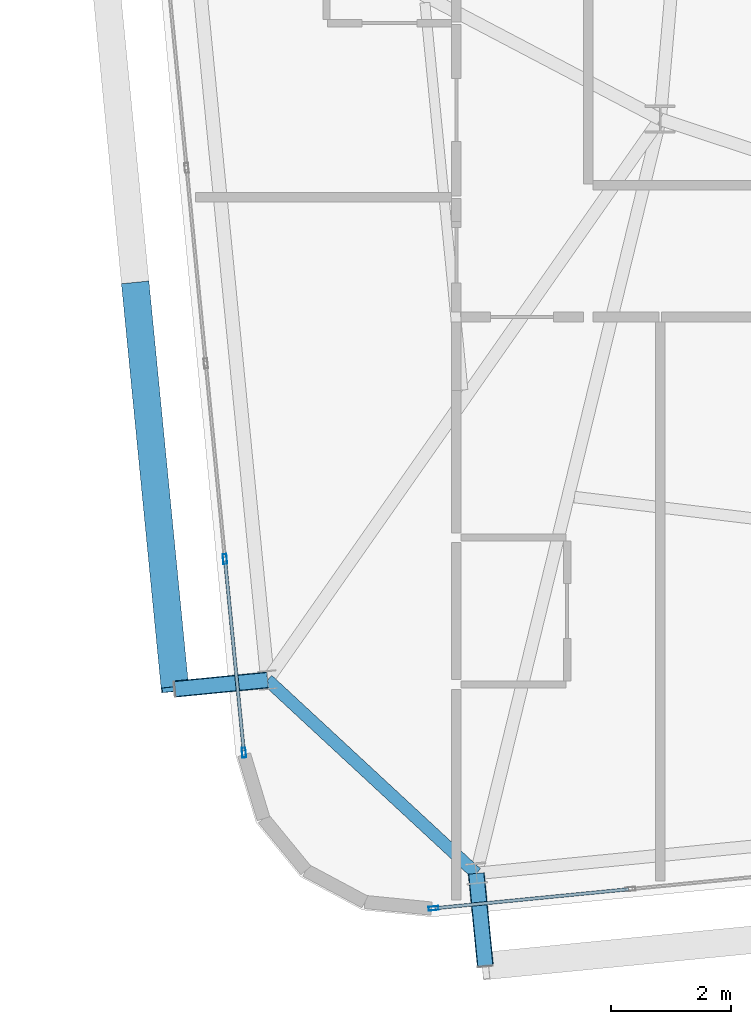
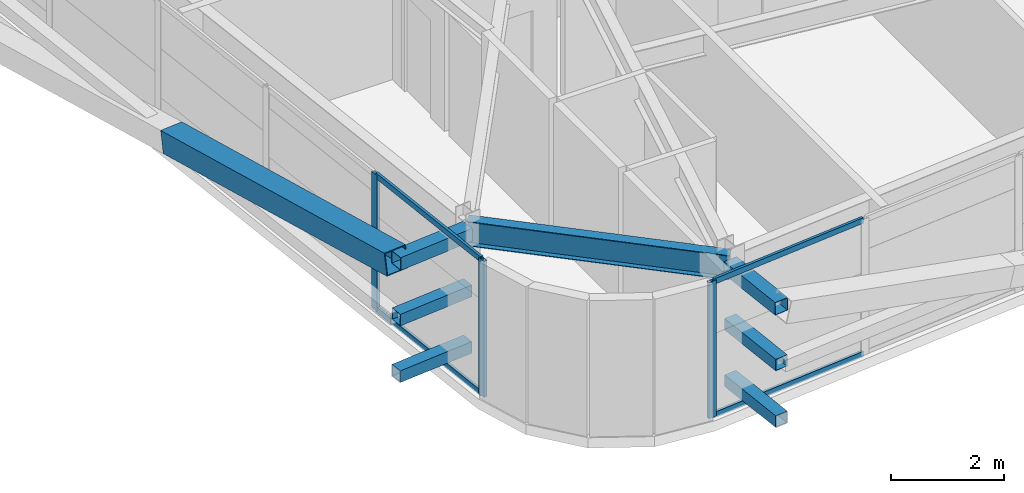
# One storey, part 5 of 53: 14 members, 1 beam, 2 elements without a shape of their own.
"""IFC4 building model written with IfcOpenShell, lengths in metres."""

import ifcopenshell
import ifcopenshell.guid

model = None  # the IFC model being written
_history = None  # IfcOwnerHistory: only IFC2X3 demands one
_inside = {}  # id of a spatial element -> (the spatial element, [elements in it])
_under = {}  # id of a project, library or spatial element -> (it, [spatial elements below it])
_declared = {}  # id of a project -> (the project, [libraries it declares])
_typed = {}  # id of a type object -> (the type object, [elements of that type])
_made_of = {}  # id of a material, layer set ... -> (it, [elements and type objects made of it])


def new_model(schema):
    """Start an empty IFC model of exactly this schema.

    Asked for "IFC4X3", IfcOpenShell would pick the latest addendum, in which some entities
    have other attributes; the version numbers below select the first issue.
    IFC2X3 requires an IfcOwnerHistory on every rooted entity: one is made here for all.
    """
    global model, _history
    if schema == "IFC4X3":
        model = ifcopenshell.file(schema_version=(4, 3, 0, 0))
    else:
        model = ifcopenshell.file(schema=schema)
    _inside.clear()
    _under.clear()
    _declared.clear()
    _typed.clear()
    _made_of.clear()
    _history = None
    if model.schema == "IFC2X3":
        org = make("IfcOrganization", Name="unknown")
        user = make(
            "IfcPersonAndOrganization",
            ThePerson=make("IfcPerson", FamilyName="unknown"),
            TheOrganization=org,
        )
        app = make(
            "IfcApplication",
            ApplicationDeveloper=org,
            Version="unknown",
            ApplicationFullName="unknown",
            ApplicationIdentifier="unknown",
        )
        _history = make(
            "IfcOwnerHistory",
            OwningUser=user,
            OwningApplication=app,
            ChangeAction="ADDED",
            CreationDate=0,
        )
    return model


def make(cls, **values):
    """One entity of the class cls with the attributes given. An attribute that is None is left unset."""
    return model.create_entity(
        cls, **{name: value for name, value in values.items() if value is not None}
    )


def rooted(cls, **values):
    """An entity with a GlobalId (a new one), such as an element, a storey or a relation."""
    return make(cls, GlobalId=ifcopenshell.guid.new(), OwnerHistory=_history, **values)


def si_unit(unit_type, name, prefix=None):
    """IfcSIUnit, for example si_unit("LENGTHUNIT", "METRE", prefix="MILLI")."""
    return make("IfcSIUnit", UnitType=unit_type, Prefix=prefix, Name=name)


def assignment(units):
    """IfcUnitAssignment: the units of a project."""
    return None if units is None else make("IfcUnitAssignment", Units=units)


def point(xyz):
    """IfcCartesianPoint."""
    return None if xyz is None else make("IfcCartesianPoint", Coordinates=xyz)


def direction(xyz):
    """IfcDirection."""
    return None if xyz is None else make("IfcDirection", DirectionRatios=xyz)


def frame(location, z_axis=None, x_axis=None):
    """IfcAxis2Placement3D, a coordinate frame: its origin and axes. An axis left out is left unset."""
    return make(
        "IfcAxis2Placement3D",
        Location=point(location),
        Axis=direction(z_axis),
        RefDirection=direction(x_axis),
    )


def frame_2d(location, x_axis=None):
    """IfcAxis2Placement2D, a coordinate frame in the plane: its origin and x axis."""
    return make(
        "IfcAxis2Placement2D", Location=point(location), RefDirection=direction(x_axis)
    )


def origin():
    """The frame at (0, 0, 0) with its axes left unset."""
    return frame((0.0, 0.0, 0.0))


def origin_2d():
    """The frame at (0, 0) in the plane with its x axis left unset."""
    return frame_2d((0.0, 0.0))


def place(relative_to, where):
    """IfcLocalPlacement: puts the frame where relative to a parent placement (None: the world)."""
    return make(
        "IfcLocalPlacement", PlacementRelTo=relative_to, RelativePlacement=where
    )


def context(
    kind, dimensions, precision=None, world=None, true_north=None, identifier=None
):
    """IfcGeometricRepresentationContext, for example the 3D "Model" context."""
    return make(
        "IfcGeometricRepresentationContext",
        ContextIdentifier=identifier,
        ContextType=kind,
        CoordinateSpaceDimension=dimensions,
        Precision=precision,
        WorldCoordinateSystem=world,
        TrueNorth=true_north,
    )


def subcontext(parent, identifier, kind, view, scale=None):
    """IfcGeometricRepresentationSubContext, for example "Body" below "Model"."""
    return make(
        "IfcGeometricRepresentationSubContext",
        ContextIdentifier=identifier,
        ContextType=kind,
        ParentContext=parent,
        TargetScale=scale,
        TargetView=view,
    )


def project(units=None, contexts=None):
    """IfcProject with its units and contexts."""
    return rooted(
        "IfcProject",
        Name="project",
        RepresentationContexts=contexts,
        UnitsInContext=assignment(units),
    )


def spatial(cls, under=None, at=None, **own):
    """A site, building, storey or space (cls), placed at a placement, below another one or the project."""
    s = rooted(cls, ObjectPlacement=at, **own)
    if under is not None:
        _under.setdefault(under.id(), (under, []))[1].append(s)
    return s


def profile(cls, at=None, kind="AREA", **sizes):
    """A parametric profile (cls). Its sizes go by their IFC names, for example OverallWidth=200.0."""
    return make(cls, ProfileType=kind, Position=at, **sizes)


def hollow_rectangle(**sizes):
    """IfcRectangleHollowProfileDef."""
    return profile("IfcRectangleHollowProfileDef", **sizes)


def i_section(**sizes):
    """IfcIShapeProfileDef."""
    return profile("IfcIShapeProfileDef", **sizes)


def extrude(swept, where, along, depth):
    """IfcExtrudedAreaSolid: the profile swept, set in the frame where, extruded along a direction by depth."""
    return make(
        "IfcExtrudedAreaSolid",
        SweptArea=swept,
        Position=where,
        ExtrudedDirection=direction(along),
        Depth=depth,
    )


def shape(context_of_items, identifier, shape_type, items):
    """IfcShapeRepresentation: the items that make up one representation, for example the "Body"."""
    return make(
        "IfcShapeRepresentation",
        ContextOfItems=context_of_items,
        RepresentationIdentifier=identifier,
        RepresentationType=shape_type,
        Items=items,
    )


def source(mapping_origin, context_of_items, identifier, shape_type, items):
    """IfcRepresentationMap: a shape defined once, which mapped items show again and again."""
    return make(
        "IfcRepresentationMap",
        MappingOrigin=mapping_origin,
        MappedRepresentation=shape(context_of_items, identifier, shape_type, items),
    )


def transform(
    local_origin,
    x_axis=None,
    y_axis=None,
    z_axis=None,
    scale=None,
    scale2=None,
    scale3=None,
    uniform=True,
):
    """IfcCartesianTransformationOperator3D, or its non-uniform kind. x_axis, y_axis, z_axis: its Axis1, 2, 3."""
    if uniform:
        return make(
            "IfcCartesianTransformationOperator3D",
            Axis1=direction(x_axis),
            Axis2=direction(y_axis),
            LocalOrigin=point(local_origin),
            Scale=scale,
            Axis3=direction(z_axis),
        )
    return make(
        "IfcCartesianTransformationOperator3DnonUniform",
        Axis1=direction(x_axis),
        Axis2=direction(y_axis),
        LocalOrigin=point(local_origin),
        Scale=scale,
        Axis3=direction(z_axis),
        Scale2=scale2,
        Scale3=scale3,
    )


def mapped(mapping_source, mapping_target):
    """IfcMappedItem: shows the shape of a source again, moved by a transform."""
    return make(
        "IfcMappedItem", MappingSource=mapping_source, MappingTarget=mapping_target
    )


def material(Name=None, Category=None):
    """IfcMaterial."""
    return make("IfcMaterial", Name=Name, Category=Category)


def layer(
    of_material, thickness, ventilated=None, Name=None, Category=None, Priority=None
):
    """IfcMaterialLayer: one layer of a wall or slab, of a material (None: an air gap)."""
    return make(
        "IfcMaterialLayer",
        Material=of_material,
        LayerThickness=thickness,
        IsVentilated=ventilated,
        Name=Name,
        Category=Category,
        Priority=Priority,
    )


def layer_set(layers, Name=None):
    """IfcMaterialLayerSet."""
    return make("IfcMaterialLayerSet", MaterialLayers=layers, LayerSetName=Name)


def material_profile(
    of_material, cross_section, Name=None, Category=None, Priority=None
):
    """IfcMaterialProfile: a cross section and its material."""
    return make(
        "IfcMaterialProfile",
        Name=Name,
        Material=of_material,
        Profile=cross_section,
        Priority=Priority,
        Category=Category,
    )


def profile_set(profiles, Name=None, composite=None):
    """IfcMaterialProfileSet."""
    return make(
        "IfcMaterialProfileSet",
        Name=Name,
        MaterialProfiles=profiles,
        CompositeProfile=composite,
    )


def made_of(thing, what):
    """Note that an element or type object is made of a material, layer set ...; save() writes the relation."""
    if what is not None:
        _made_of.setdefault(what.id(), (what, []))[1].append(thing)
    return thing


def type_object(cls, material=None, **own):
    """A type object (cls), such as IfcWallType, which elements share."""
    return made_of(rooted(cls, **own), material)


def element(
    cls,
    number,
    at=None,
    inside=None,
    cuts=None,
    type_object=None,
    material=None,
    context=None,
    identifier="Body",
    shape_type=None,
    held_by="IfcProductDefinitionShape",
    body=None,
    shapes=None,
    **own,
):
    """One element of the class cls, such as IfcWall. Its Tag is "e" and its number.

    at: its placement. inside: the storey or other place that contains it. cuts: it is an
    opening in that element (IfcRelVoidsElement). A single representation is given by context,
    identifier, shape_type and body (its items); several are given by shapes. held_by: the class
    of the entity that holds the representations. save() writes the other relations.
    """
    e = rooted(cls, Tag="e%d" % number, ObjectPlacement=at, **own)
    if body is not None:
        shapes = [shape(context, identifier, shape_type, body)]
    if shapes is not None:
        e.Representation = make(held_by, Representations=shapes)
    if inside is not None:
        _inside.setdefault(inside.id(), (inside, []))[1].append(e)
    if cuts is not None:
        rooted(
            "IfcRelVoidsElement", RelatingBuildingElement=cuts, RelatedOpeningElement=e
        )
    if type_object is not None:
        _typed.setdefault(type_object.id(), (type_object, []))[1].append(e)
    return made_of(e, material)


def aggregate(whole, parts):
    """IfcRelAggregates: a whole, such as a stair, and the parts it consists of."""
    return rooted("IfcRelAggregates", RelatingObject=whole, RelatedObjects=parts)


def save(model, path):
    """Write the relations noted so far, then the file.

    IfcRelAggregates (storeys below a building ...), IfcRelContainedInSpatialStructure (elements
    in a storey), IfcRelDefinesByType, IfcRelAssociatesMaterial and IfcRelDeclares: one each for
    every whole, place, type object, material and project.
    """
    for whole, parts in _under.values():
        aggregate(whole, parts)
    for where, things in _inside.values():
        rooted(
            "IfcRelContainedInSpatialStructure",
            RelatedElements=things,
            RelatingStructure=where,
        )
    for kind, things in _typed.values():
        rooted("IfcRelDefinesByType", RelatedObjects=things, RelatingType=kind)
    for what, things in _made_of.values():
        rooted("IfcRelAssociatesMaterial", RelatedObjects=things, RelatingMaterial=what)
    for by, libraries in _declared.values():
        rooted("IfcRelDeclares", RelatingContext=by, RelatedDefinitions=libraries)
    model.write(path)


model = new_model("IFC4")

# Units and contexts
model_context = context("Model", 3, precision=1e-05, world=origin(), true_north=direction((0.0, 1.0)))
body_context = subcontext(model_context, "Body", "Model", "MODEL_VIEW")
ifc_project = project(units=[si_unit("LENGTHUNIT", "METRE"), si_unit("AREAUNIT", "SQUARE_METRE"), si_unit("VOLUMEUNIT", "CUBIC_METRE"), si_unit("PLANEANGLEUNIT", "RADIAN"), si_unit("MASSUNIT", "GRAM", prefix="KILO")], contexts=[model_context])

# Site, building, storey
site_placement = place(None, origin())
site = spatial("IfcSite", under=ifc_project, at=site_placement, CompositionType="ELEMENT")
building_placement = place(site_placement, origin())
building = spatial("IfcBuilding", under=site, at=building_placement, Name="Taldren Reach Tower", CompositionType="ELEMENT")
storey_placement = place(building_placement, frame((0.0, 0.0, 71.39990234375)))
storey = spatial("IfcBuildingStorey", under=building, at=storey_placement, Name="L21", CompositionType="ELEMENT", Elevation=71.39990234375)

# Beam
ifc_material_1 = material(Name="Steel Gr 350 (350PLUS)", Category="steel")
ifc_material_profile_1 = material_profile(ifc_material_1, i_section(OverallWidth=0.208984375, OverallDepth=0.528076171875, WebThickness=0.009521484375, FlangeThickness=0.01318359375, at=origin_2d()), Name="530UB82.0")
ifc_profile_set_1 = profile_set([ifc_material_profile_1], Name="Steel Gr 350 (350PLUS)")
beam_type = type_object("IfcBeamType", Name="SP-UB530B", PredefinedType="SPANDREL", material=ifc_profile_set_1)
shared_shape_1 = source(origin(), body_context, "Body", "SweptSolid", [
    extrude(i_section(OverallWidth=0.208984375, OverallDepth=0.528076171875, WebThickness=0.009521484375, FlangeThickness=0.01318359375, at=origin_2d()), origin(), (0.0, 0.0, 1.0), 4.745849609375),
])
beam_placement = place(storey_placement, frame((11.452880859375, 3.145751953125, 2.666015625), z_axis=(0.733524121458, -0.679663419083, 0.0), x_axis=(0.679663419083, 0.733524121458, 0.0)))
element("IfcBeam", 1, at=beam_placement, inside=storey, type_object=beam_type, Name="Perimeter spandrel B2 W1-S1 L21", PredefinedType="SPANDREL", context=body_context, shape_type="MappedRepresentation", body=[
    mapped(shared_shape_1, transform((0.0, 0.0, 0.0), scale=1.0)),
])

# Members
ifc_material_2 = material(Name="Steel Gr 450 (C450L0)", Category="steel")
ifc_material_profile_2 = material_profile(ifc_material_2, hollow_rectangle(XDim=0.27490234375, YDim=0.27490234375, WallThickness=0.00927734375, at=origin_2d()), Name="275x275x9.3SHS")
ifc_profile_set_2 = profile_set([ifc_material_profile_2], Name="Steel Gr 450 (C450L0)")
member_type_1 = type_object("IfcMemberType", Name="MB-TIE273", PredefinedType="STRUT", material=ifc_profile_set_2)
shared_shape_2 = source(origin(), body_context, "Body", "SweptSolid", [
    extrude(hollow_rectangle(XDim=0.27490234375, YDim=0.27490234375, WallThickness=0.00927734375, at=origin_2d()), origin(), (0.0, 0.0, 1.0), 1.550048828125),
])
for number, where, z_axis, x_axis, name in (
    (2, (14.93408203125, -0.079833984375, 2.650146484375), (0.097647892962, -0.9952210252, 0.0), (0.9952210252, 0.097647892962, 0.0), "Exoskeleton diaphragm tie strut B2-S1 L21"),
    (3, (11.452880859375, 3.145751953125, 2.650146484375), (-0.995236318924, -0.097491894511, 0.0), (0.097491894511, -0.995236318924, 0.0), "Exoskeleton diaphragm tie strut B2-W1 L21"),
):
    element("IfcMember", number, at=place(storey_placement, frame(where, z_axis=z_axis, x_axis=x_axis)), inside=storey, type_object=member_type_1, Name=name, PredefinedType="STRUT", context=body_context, shape_type="MappedRepresentation", body=[
        mapped(shared_shape_2, transform((0.0, 0.0, 0.0), scale=1.0)),
    ])
ifc_material_3 = material(Name="Steel Gr 350 (C350L0)", Category="steel")
ifc_material_profile_3 = material_profile(ifc_material_3, hollow_rectangle(XDim=0.25, YDim=0.25, WallThickness=0.010009765625, at=origin_2d()), Name="250x250x10.0SHS")
ifc_profile_set_3 = profile_set([ifc_material_profile_3], Name="Steel Gr 350 (C350L0)")
member_type_2 = type_object("IfcMemberType", Name="MB-POST250", PredefinedType="POST", material=ifc_profile_set_3)
shared_shape_3 = source(origin(), body_context, "Body", "SweptSolid", [
    extrude(hollow_rectangle(XDim=0.25, YDim=0.25, WallThickness=0.010009765625, at=origin_2d()), origin(), (0.0, 0.0, 1.0), 1.550048828125),
])
for number, where, z_axis, x_axis, name in (
    (4, (14.93408203125, -0.079833984375, 0.22021484375), (0.097647892962, -0.9952210252, 0.0), (0.9952210252, 0.097647892962, 0.0), "Exoskeleton base diaphragm tie strut B2-S1 L21"),
    (5, (11.452880859375, 3.145751953125, 0.22021484375), (-0.995236318924, -0.097491894511, 0.0), (0.097491894511, -0.995236318924, 0.0), "Exoskeleton base diaphragm tie strut B2-W1 L21"),
    (6, (14.93408203125, -0.079833984375, 1.43505859375), (0.097647892962, -0.9952210252, 0.0), (0.9952210252, 0.097647892962, 0.0), "Exoskeleton mid-tier diaphragm tie B2-S1 L21"),
    (7, (11.452880859375, 3.145751953125, 1.43505859375), (-0.995236318924, -0.097491894511, 0.0), (0.097491894511, -0.995236318924, 0.0), "Exoskeleton mid-tier diaphragm tie B2-W1 L21"),
):
    element("IfcMember", number, at=place(storey_placement, frame(where, z_axis=z_axis, x_axis=x_axis)), inside=storey, type_object=member_type_2, Name=name, PredefinedType="POST", context=body_context, shape_type="MappedRepresentation", body=[
        mapped(shared_shape_3, transform((0.0, 0.0, 0.0), scale=1.0)),
    ])
ifc_material_profile_4 = material_profile(ifc_material_2, hollow_rectangle(XDim=0.4599609375, YDim=0.4599609375, WallThickness=0.01611328125, at=origin_2d()), Name="460x460x16.0SHS")
ifc_profile_set_4 = profile_set([ifc_material_profile_4], Name="Steel Gr 450 (C450L0)")
member_type_3 = type_object("IfcMemberType", Name="MB-EXO457", PredefinedType="BRACE", material=ifc_profile_set_4)
shared_shape_4 = source(origin(), body_context, "Body", "SweptSolid", [
    extrude(hollow_rectangle(XDim=0.4599609375, YDim=0.4599609375, WallThickness=0.01611328125, at=origin_2d()), origin(), (0.0, 0.0, 1.0), 6.883056640625),
])
member_1_placement = place(storey_placement, frame((9.2490234375, 9.7373046875, 1.43505859375), z_axis=(0.09605145821, -0.97959718347, 0.176531797456), x_axis=(0.995227290009, 0.097584021339, 0.0)))
element("IfcMember", 8, at=member_1_placement, inside=storey, type_object=member_type_3, Name="Exoskeleton Diagrid Brace B2-W1 L21", PredefinedType="BRACE", context=body_context, shape_type="MappedRepresentation", body=[
    mapped(shared_shape_4, transform((0.0, 0.0, 0.0), scale=1.0)),
])

# Curtain wall, member
ifc_material_4 = material(Name="Aluminium and Low-E Glass Unitised System", Category="aluminium")
ifc_layer = layer(ifc_material_4, 0.159912109375)
ifc_layer_set = layer_set([ifc_layer], Name="Aluminium and Low-E Glass Unitised System")
curtain_wall_type = type_object("IfcCurtainWallType", Name="CW-SYS-3", PredefinedType="NOTDEFINED", material=ifc_layer_set)
curtain_wall_1_placement = place(storey_placement, origin())
curtain_wall_1 = element("IfcCurtainWall", 9, at=curtain_wall_1_placement, inside=storey, type_object=curtain_wall_type, Name="Unitised curtain wall CW-L21-S", PredefinedType="NOTDEFINED")
ifc_material_5 = material(Name="Anodised Aluminium 6063-T6", Category="aluminium")
ifc_material_profile_5 = material_profile(ifc_material_5, hollow_rectangle(XDim=0.06494140625, YDim=0.1650390625, WallThickness=0.00390625, at=origin_2d()), Name="ALU-165x65x4RHS")
ifc_profile_set_5 = profile_set([ifc_material_profile_5], Name="Anodised Aluminium 6063-T6")
member_type_4 = type_object("IfcMemberType", Name="CW-MUL-165", PredefinedType="MULLION", material=ifc_profile_set_5)
shared_shape_5 = source(origin(), body_context, "Body", "SweptSolid", [
    extrude(hollow_rectangle(XDim=0.06494140625, YDim=0.1650390625, WallThickness=0.00390625, at=origin_2d()), origin(), (0.0, 0.0, 1.0), 2.93017578125),
])
member_2_placement = place(storey_placement, frame((14.22021484375, -0.662353515625, 0.0), z_axis=(0.0, 0.0, 1.0), x_axis=(-0.097582999046, 0.995227390247, 0.0)))
member_2 = element("IfcMember", 10, at=member_2_placement, type_object=member_type_4, Name="CW-3 mullion 1", PredefinedType="MULLION", context=body_context, shape_type="MappedRepresentation", body=[
    mapped(shared_shape_5, transform((0.0, 0.0, 0.0), scale=1.0)),
])

# Curtain wall, members
curtain_wall_2_placement = place(storey_placement, origin())
curtain_wall_2 = element("IfcCurtainWall", 11, at=curtain_wall_2_placement, inside=storey, type_object=curtain_wall_type, Name="Unitised curtain wall CW-L21-W", PredefinedType="NOTDEFINED")
member_3_placement = place(storey_placement, frame((10.742431640625, 5.163818359375, 0.0), z_axis=(0.0, 0.0, 1.0), x_axis=(0.99522741555, 0.09758274098, 0.0)))
member_3 = element("IfcMember", 12, at=member_3_placement, type_object=member_type_4, Name="CW-3 mullion 9", PredefinedType="MULLION", context=body_context, shape_type="MappedRepresentation", body=[
    mapped(shared_shape_5, transform((0.0, 0.0, 0.0), scale=1.0)),
])
member_4_placement = place(storey_placement, frame((11.05908203125, 1.93408203125, 0.0), z_axis=(0.0, 0.0, 1.0), x_axis=(0.99522741555, 0.09758274098, 0.0)))
member_4 = element("IfcMember", 13, at=member_4_placement, type_object=member_type_4, Name="CW-3 mullion 10", PredefinedType="MULLION", context=body_context, shape_type="MappedRepresentation", body=[
    mapped(shared_shape_5, transform((0.0, 0.0, 0.0), scale=1.0)),
])

# Member
ifc_material_profile_6 = material_profile(ifc_material_5, hollow_rectangle(XDim=0.054931640625, YDim=0.1201171875, WallThickness=0.0029296875, at=origin_2d()), Name="ALU-120x55x3RHS")
ifc_profile_set_6 = profile_set([ifc_material_profile_6], Name="Anodised Aluminium 6063-T6")
member_type_5 = type_object("IfcMemberType", Name="CW-TRN-135", PredefinedType="USERDEFINED", material=ifc_profile_set_6)
shared_shape_6 = source(origin(), body_context, "Body", "SweptSolid", [
    extrude(hollow_rectangle(XDim=0.054931640625, YDim=0.1201171875, WallThickness=0.0029296875, at=origin_2d()), origin(), (0.0, 0.0, 1.0), 3.23583984375),
])
member_5_placement = place(storey_placement, frame((14.25244140625, -0.6591796875, 0.027587890625), z_axis=(0.995230248826, 0.097553840629, 0.0), x_axis=(-0.097553840629, 0.995230248826, 0.0)))
member_5 = element("IfcMember", 14, at=member_5_placement, type_object=member_type_5, Name="CW-3 transom 1.1", ObjectType="TRANSOM", PredefinedType="USERDEFINED", context=body_context, shape_type="MappedRepresentation", body=[
    mapped(shared_shape_6, transform((0.0, 0.0, 0.0), scale=1.0)),
])

member_6_placement = place(storey_placement, frame((14.25244140625, -0.6591796875, 2.902587890625), z_axis=(0.995230248826, 0.097553840629, 0.0), x_axis=(-0.097553840629, 0.995230248826, 0.0)))
member_6 = element("IfcMember", 15, at=member_6_placement, type_object=member_type_5, Name="CW-3 transom 1.2", ObjectType="TRANSOM", PredefinedType="USERDEFINED", context=body_context, shape_type="MappedRepresentation", body=[
    mapped(shared_shape_6, transform((0.0, 0.0, 0.0), scale=1.0)),
])

aggregate(curtain_wall_1, [member_2, member_5, member_6])

shared_shape_7 = source(origin(), body_context, "Body", "SweptSolid", [
    extrude(hollow_rectangle(XDim=0.054931640625, YDim=0.1201171875, WallThickness=0.0029296875, at=origin_2d()), origin(), (0.0, 0.0, 1.0), 3.180419921875),
])
member_7_placement = place(storey_placement, frame((10.74560546875, 5.131591796875, 0.027587890625), z_axis=(0.097565460739, -0.995229109738, 0.0), x_axis=(0.995229109738, 0.097565460739, 0.0)))
member_7 = element("IfcMember", 16, at=member_7_placement, type_object=member_type_5, Name="CW-3 transom 9.1", ObjectType="TRANSOM", PredefinedType="USERDEFINED", context=body_context, shape_type="MappedRepresentation", body=[
    mapped(shared_shape_7, transform((0.0, 0.0, 0.0), scale=1.0)),
])

member_8_placement = place(storey_placement, frame((10.74560546875, 5.131591796875, 2.902587890625), z_axis=(0.097565460739, -0.995229109738, 0.0), x_axis=(0.995229109738, 0.097565460739, 0.0)))
member_8 = element("IfcMember", 17, at=member_8_placement, type_object=member_type_5, Name="CW-3 transom 9.2", ObjectType="TRANSOM", PredefinedType="USERDEFINED", context=body_context, shape_type="MappedRepresentation", body=[
    mapped(shared_shape_7, transform((0.0, 0.0, 0.0), scale=1.0)),
])

aggregate(curtain_wall_2, [member_3, member_4, member_7, member_8])

save(model, "model.ifc")
